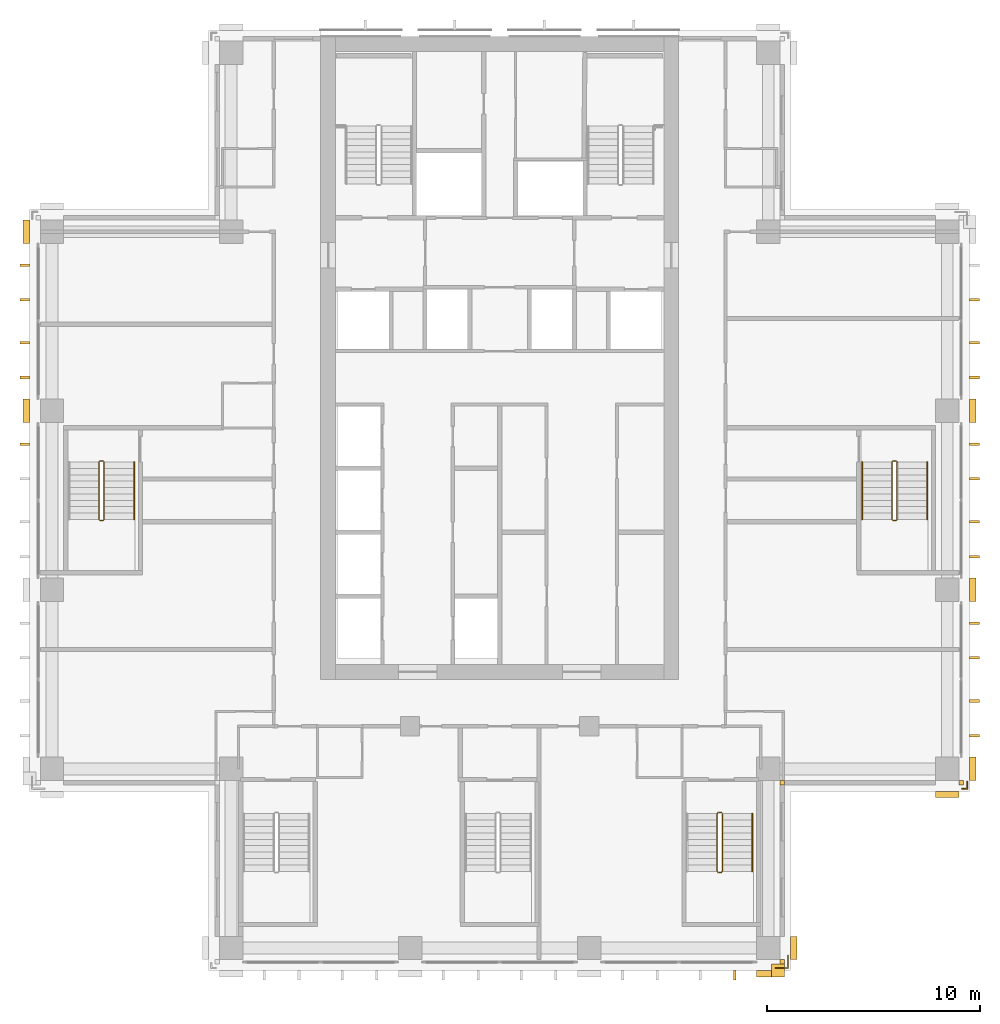
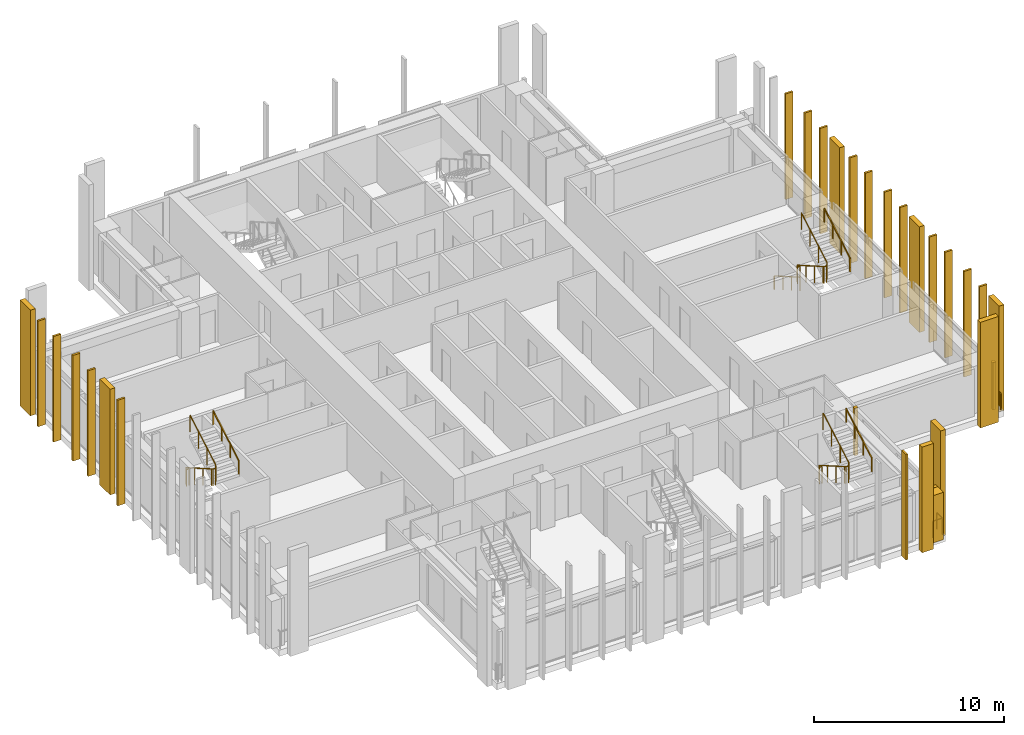
# One storey, part 15 of 16: 29 coverings, 9 railings.
"""IFC4 building model written with IfcOpenShell, lengths in metres."""

from ifc_helpers import new_model, si_unit, direction, frame, origin, origin_2d, place, context, subcontext, project, spatial, polyline, rectangle, outline, extrude, material, layer, layer_set, type_object, element, save


model = new_model("IFC4")

# Units and contexts
model_context = context("Model", 3, precision=1e-05, world=origin(), true_north=direction((0.0, 1.0)))
body_context = subcontext(model_context, "Body", "Model", "MODEL_VIEW")
ifc_project = project(units=[si_unit("LENGTHUNIT", "METRE"), si_unit("AREAUNIT", "SQUARE_METRE"), si_unit("VOLUMEUNIT", "CUBIC_METRE"), si_unit("PLANEANGLEUNIT", "RADIAN"), si_unit("MASSUNIT", "GRAM", prefix="KILO")], contexts=[model_context])

# Site, building, storey
site_placement = place(None, origin())
site = spatial("IfcSite", under=ifc_project, at=site_placement, CompositionType="ELEMENT")
building_placement = place(site_placement, origin())
building = spatial("IfcBuilding", under=site, at=building_placement, Name="Vermilion Ogive Tower", CompositionType="ELEMENT")
storey_placement = place(building_placement, frame((0.0, 0.0, 164.14990234375)))
storey = spatial("IfcBuildingStorey", under=building, at=storey_placement, Name="L42", CompositionType="ELEMENT", Elevation=164.14990234375)

# Coverings
ifc_material_1 = material(Name="Glazed ceramic screen")
ifc_layer = layer(ifc_material_1, 0.14990234375)
ifc_layer_set = layer_set([ifc_layer], Name="Ceramic solar screen fin")
covering_type_1 = type_object("IfcCoveringType", Name="Ceramic solar screen fin", PredefinedType="CLADDING", material=ifc_layer_set)
covering_1_placement = place(storey_placement, frame((0.0, 0.0, -0.39990234375)))
element("IfcCovering", 1, at=covering_1_placement, inside=storey, type_object=covering_type_1, Name="Solar screen blade S022", PredefinedType="CLADDING", context=body_context, shape_type="SweptSolid", body=[
    extrude(outline(polyline([(10.9775390625, -22.5), (11.097412109375, -22.5), (11.097412109375, -22.050048828125), (10.9775390625, -22.050048828125), (10.9775390625, -22.5)])), origin(), (0.0, 0.0, 1.0), 6.800048828125),
])
covering_2_placement = place(storey_placement, frame((0.0, 0.0, -0.39990234375)))
element("IfcCovering", 2, at=covering_2_placement, inside=storey, type_object=covering_type_1, Name="Solar screen blade E971", PredefinedType="CLADDING", context=body_context, shape_type="SweptSolid", body=[
    extrude(outline(polyline([(22.5, -11.097412109375), (22.5, -10.9775390625), (22.050048828125, -10.9775390625), (22.050048828125, -11.097412109375), (22.5, -11.097412109375)])), origin(), (0.0, 0.0, 1.0), 6.800048828125),
])
covering_3_placement = place(storey_placement, frame((0.0, 0.0, -0.39990234375)))
element("IfcCovering", 3, at=covering_3_placement, inside=storey, type_object=covering_type_1, Name="Solar screen blade E972", PredefinedType="CLADDING", context=body_context, shape_type="SweptSolid", body=[
    extrude(outline(polyline([(22.5, -9.472412109375), (22.5, -9.3525390625), (22.050048828125, -9.3525390625), (22.050048828125, -9.472412109375), (22.5, -9.472412109375)])), origin(), (0.0, 0.0, 1.0), 6.800048828125),
])
covering_4_placement = place(storey_placement, frame((0.0, 0.0, -0.39990234375)))
element("IfcCovering", 4, at=covering_4_placement, inside=storey, type_object=covering_type_1, Name="Solar screen blade E981", PredefinedType="CLADDING", context=body_context, shape_type="SweptSolid", body=[
    extrude(outline(polyline([(22.5, -7.447509765625), (22.5, -7.327392578125), (22.050048828125, -7.327392578125), (22.050048828125, -7.447509765625), (22.5, -7.447509765625)])), origin(), (0.0, 0.0, 1.0), 6.800048828125),
])
covering_5_placement = place(storey_placement, frame((0.0, 0.0, -0.39990234375)))
element("IfcCovering", 5, at=covering_5_placement, inside=storey, type_object=covering_type_1, Name="Solar screen blade E982", PredefinedType="CLADDING", context=body_context, shape_type="SweptSolid", body=[
    extrude(outline(polyline([(22.5, -5.822509765625), (22.5, -5.702392578125), (22.050048828125, -5.702392578125), (22.050048828125, -5.822509765625), (22.5, -5.822509765625)])), origin(), (0.0, 0.0, 1.0), 6.800048828125),
])
covering_6_placement = place(storey_placement, frame((0.0, 0.0, -0.39990234375)))
element("IfcCovering", 6, at=covering_6_placement, inside=storey, type_object=covering_type_1, Name="Solar screen blade E991", PredefinedType="CLADDING", context=body_context, shape_type="SweptSolid", body=[
    extrude(outline(polyline([(22.5, -2.697509765625), (22.5, -2.577392578125), (22.050048828125, -2.577392578125), (22.050048828125, -2.697509765625), (22.5, -2.697509765625)])), origin(), (0.0, 0.0, 1.0), 6.800048828125),
])
covering_7_placement = place(storey_placement, frame((0.0, 0.0, -0.39990234375)))
element("IfcCovering", 7, at=covering_7_placement, inside=storey, type_object=covering_type_1, Name="Solar screen blade E992", PredefinedType="CLADDING", context=body_context, shape_type="SweptSolid", body=[
    extrude(outline(polyline([(22.5, -1.072509765625), (22.5, -0.952392578125), (22.050048828125, -0.952392578125), (22.050048828125, -1.072509765625), (22.5, -1.072509765625)])), origin(), (0.0, 0.0, 1.0), 6.800048828125),
])
covering_8_placement = place(storey_placement, frame((0.0, 0.0, -0.39990234375)))
element("IfcCovering", 8, at=covering_8_placement, inside=storey, type_object=covering_type_1, Name="Solar screen blade E001", PredefinedType="CLADDING", context=body_context, shape_type="SweptSolid", body=[
    extrude(outline(polyline([(22.5, 0.952392578125), (22.5, 1.072509765625), (22.050048828125, 1.072509765625), (22.050048828125, 0.952392578125), (22.5, 0.952392578125)])), origin(), (0.0, 0.0, 1.0), 6.800048828125),
])
covering_9_placement = place(storey_placement, frame((0.0, 0.0, -0.39990234375)))
element("IfcCovering", 9, at=covering_9_placement, inside=storey, type_object=covering_type_1, Name="Solar screen blade E002", PredefinedType="CLADDING", context=body_context, shape_type="SweptSolid", body=[
    extrude(outline(polyline([(22.5, 2.577392578125), (22.5, 2.697509765625), (22.050048828125, 2.697509765625), (22.050048828125, 2.577392578125), (22.5, 2.577392578125)])), origin(), (0.0, 0.0, 1.0), 6.800048828125),
])
covering_10_placement = place(storey_placement, frame((0.0, 0.0, -0.39990234375)))
element("IfcCovering", 10, at=covering_10_placement, inside=storey, type_object=covering_type_1, Name="Solar screen blade E011", PredefinedType="CLADDING", context=body_context, shape_type="SweptSolid", body=[
    extrude(outline(polyline([(22.5, 5.702392578125), (22.5, 5.822509765625), (22.050048828125, 5.822509765625), (22.050048828125, 5.702392578125), (22.5, 5.702392578125)])), origin(), (0.0, 0.0, 1.0), 6.800048828125),
])
covering_11_placement = place(storey_placement, frame((0.0, 0.0, -0.39990234375)))
element("IfcCovering", 11, at=covering_11_placement, inside=storey, type_object=covering_type_1, Name="Solar screen blade E012", PredefinedType="CLADDING", context=body_context, shape_type="SweptSolid", body=[
    extrude(outline(polyline([(22.5, 7.327392578125), (22.5, 7.447509765625), (22.050048828125, 7.447509765625), (22.050048828125, 7.327392578125), (22.5, 7.327392578125)])), origin(), (0.0, 0.0, 1.0), 6.800048828125),
])
covering_12_placement = place(storey_placement, frame((0.0, 0.0, -0.39990234375)))
element("IfcCovering", 12, at=covering_12_placement, inside=storey, type_object=covering_type_1, Name="Solar screen blade E021", PredefinedType="CLADDING", context=body_context, shape_type="SweptSolid", body=[
    extrude(outline(polyline([(22.5, 9.3525390625), (22.5, 9.472412109375), (22.050048828125, 9.472412109375), (22.050048828125, 9.3525390625), (22.5, 9.3525390625)])), origin(), (0.0, 0.0, 1.0), 6.800048828125),
])
covering_13_placement = place(storey_placement, frame((0.0, 0.0, -0.39990234375)))
element("IfcCovering", 13, at=covering_13_placement, inside=storey, type_object=covering_type_1, Name="Solar screen blade W011", PredefinedType="CLADDING", context=body_context, shape_type="SweptSolid", body=[
    extrude(outline(polyline([(-22.5, 7.447509765625), (-22.5, 7.327392578125), (-22.050048828125, 7.327392578125), (-22.050048828125, 7.447509765625), (-22.5, 7.447509765625)])), origin(), (0.0, 0.0, 1.0), 6.800048828125),
])
covering_14_placement = place(storey_placement, frame((0.0, 0.0, -0.39990234375)))
element("IfcCovering", 14, at=covering_14_placement, inside=storey, type_object=covering_type_1, Name="Solar screen blade W012", PredefinedType="CLADDING", context=body_context, shape_type="SweptSolid", body=[
    extrude(outline(polyline([(-22.5, 5.822509765625), (-22.5, 5.702392578125), (-22.050048828125, 5.702392578125), (-22.050048828125, 5.822509765625), (-22.5, 5.822509765625)])), origin(), (0.0, 0.0, 1.0), 6.800048828125),
])
covering_15_placement = place(storey_placement, frame((0.0, 0.0, -0.39990234375)))
element("IfcCovering", 15, at=covering_15_placement, inside=storey, type_object=covering_type_1, Name="Solar screen blade W021", PredefinedType="CLADDING", context=body_context, shape_type="SweptSolid", body=[
    extrude(outline(polyline([(-22.5, 11.097412109375), (-22.5, 10.9775390625), (-22.050048828125, 10.9775390625), (-22.050048828125, 11.097412109375), (-22.5, 11.097412109375)])), origin(), (0.0, 0.0, 1.0), 6.800048828125),
])
covering_16_placement = place(storey_placement, frame((0.0, 0.0, -0.39990234375)))
element("IfcCovering", 16, at=covering_16_placement, inside=storey, type_object=covering_type_1, Name="Solar screen blade W022", PredefinedType="CLADDING", context=body_context, shape_type="SweptSolid", body=[
    extrude(outline(polyline([(-22.5, 9.472412109375), (-22.5, 9.3525390625), (-22.050048828125, 9.3525390625), (-22.050048828125, 9.472412109375), (-22.5, 9.472412109375)])), origin(), (0.0, 0.0, 1.0), 6.800048828125),
])
covering_17_placement = place(storey_placement, frame((0.0, 0.0, -0.39990234375)))
element("IfcCovering", 17, at=covering_17_placement, inside=storey, type_object=covering_type_1, Name="Solar screen blade W001", PredefinedType="CLADDING", context=body_context, shape_type="SweptSolid", body=[
    extrude(outline(polyline([(-22.5, 2.697509765625), (-22.5, 2.577392578125), (-22.050048828125, 2.577392578125), (-22.050048828125, 2.697509765625), (-22.5, 2.697509765625)])), origin(), (0.0, 0.0, 1.0), 6.800048828125),
])

# Railings
ifc_material_2 = material(Name="Stainless steel", Category="steel")
railing_type_1 = type_object("IfcRailingType", Name="Slab edge guard SG1", PredefinedType="GUARDRAIL", material=ifc_material_2)
railing_1_placement = place(storey_placement, frame((21.929931640625, -13.199951171875, 0.0)))
element("IfcRailing", 18, at=railing_1_placement, inside=storey, type_object=railing_type_1, Name="L42 slab corner guard", PredefinedType="GUARDRAIL", context=body_context, shape_type="SweptSolid", body=[
    extrude(rectangle(XDim=0.050048828125, YDim=0.050048828125, at=origin_2d()), frame((0.0, 0.0, 1.0751953125), z_axis=(0.0, -1.0, 0.0), x_axis=(1.0, 0.0, 0.0)), (0.0, 0.0, 1.0), 0.330078125),
    extrude(rectangle(XDim=0.050048828125, YDim=0.050048828125, at=origin_2d()), frame((0.0, -0.330078125, 1.0751953125), z_axis=(-1.0, 0.0, 0.0), x_axis=(0.0, -1.0, 0.0)), (0.0, 0.0, 1.0), 0.22998046875),
    extrude(rectangle(XDim=0.050048828125, YDim=0.050048828125, at=origin_2d()), origin(), (0.0, 0.0, 1.0), 1.050048828125),
    extrude(rectangle(XDim=0.050048828125, YDim=0.050048828125, at=origin_2d()), frame((0.0, -0.330078125, 0.0)), (0.0, 0.0, 1.0), 1.050048828125),
    extrude(rectangle(XDim=0.050048828125, YDim=0.050048828125, at=origin_2d()), frame((-0.22998046875, -0.330078125, 0.0)), (0.0, 0.0, 1.0), 1.050048828125),
])
railing_2_placement = place(storey_placement, frame((12.949951171875, -21.929931640625, 0.0)))
element("IfcRailing", 19, at=railing_2_placement, inside=storey, type_object=railing_type_1, Name="L42 slab corner guard", PredefinedType="GUARDRAIL", context=body_context, shape_type="SweptSolid", body=[
    extrude(rectangle(XDim=0.050048828125, YDim=0.050048828125, at=origin_2d()), frame((0.0, 0.0, 1.0751953125), z_axis=(1.0, 0.0, 0.0), x_axis=(0.0, 1.0, 0.0)), (0.0, 0.0, 1.0), 0.580078125),
    extrude(rectangle(XDim=0.050048828125, YDim=0.050048828125, at=origin_2d()), frame((0.580078125, 0.0, 1.0751953125), z_axis=(0.0, 1.0, 0.0), x_axis=(-1.0, 0.0, 0.0)), (0.0, 0.0, 1.0), 0.579833984375),
    extrude(rectangle(XDim=0.050048828125, YDim=0.050048828125, at=origin_2d()), origin(), (0.0, 0.0, 1.0), 1.050048828125),
    extrude(rectangle(XDim=0.050048828125, YDim=0.050048828125, at=origin_2d()), frame((0.580078125, 0.0, 0.0)), (0.0, 0.0, 1.0), 1.050048828125),
    extrude(rectangle(XDim=0.050048828125, YDim=0.050048828125, at=origin_2d()), frame((0.580078125, 0.579833984375, 0.0)), (0.0, 0.0, 1.0), 1.050048828125),
])
ifc_material_3 = material(Name="Steel S355 painted", Category="steel")
railing_type_2 = type_object("IfcRailingType", Name="Stair guard 1100", PredefinedType="GUARDRAIL", material=ifc_material_3)
railing_3_placement = place(storey_placement, frame((10.39990234375, -14.64990234375, 0.0)))
element("IfcRailing", 20, at=railing_3_placement, inside=storey, type_object=railing_type_2, Name="L42 ST5 stair guard 4", PredefinedType="GUARDRAIL", context=body_context, shape_type="SweptSolid", body=[
    extrude(rectangle(XDim=0.048095703125, YDim=0.048095703125, at=origin_2d()), frame((0.0, 0.0, 1.076171875), z_axis=(-1.0, 0.0, 0.0), x_axis=(0.0, -1.0, 0.0)), (0.0, 0.0, 1.0), 0.14990234375),
    extrude(rectangle(XDim=0.048095703125, YDim=0.048095703125, at=origin_2d()), frame((-0.14990234375, 0.0, 1.076171875), z_axis=(-0.268277960024, -0.268277960024, 0.925231793839), x_axis=(0.707106781187, -0.707106781187, 0.0)), (0.0, 0.0, 1.0), 0.1865234375),
    extrude(rectangle(XDim=0.048095703125, YDim=0.048095703125, at=origin_2d()), frame((-0.199951171875, -0.050048828125, 1.24853515625), z_axis=(0.0, -0.866903762492, 0.498475542607), x_axis=(1.0, 0.0, 0.0)), (0.0, 0.0, 1.0), 3.114501953125),
    extrude(rectangle(XDim=0.048095703125, YDim=0.048095703125, at=origin_2d()), frame((-0.199951171875, -2.75, 2.80126953125), z_axis=(0.707106781187, -0.707106781187, 0.0), x_axis=(0.707106781187, 0.707106781187, 0.0)), (0.0, 0.0, 1.0), 0.07080078125),
    extrude(rectangle(XDim=0.048095703125, YDim=0.048095703125, at=origin_2d()), frame((-0.14990234375, -2.800048828125, 2.80126953125), z_axis=(1.0, 0.0, 0.0), x_axis=(0.0, 1.0, 0.0)), (0.0, 0.0, 1.0), 0.14990234375),
    extrude(rectangle(XDim=0.048095703125, YDim=0.048095703125, at=origin_2d()), frame((0.0, -2.800048828125, 2.80126953125), z_axis=(0.268277960024, 0.268277960024, 0.925231793839), x_axis=(-0.707106781187, 0.707106781187, 0.0)), (0.0, 0.0, 1.0), 0.1865234375),
    extrude(rectangle(XDim=0.048095703125, YDim=0.048095703125, at=origin_2d()), frame((0.050048828125, -2.75, 2.9736328125), z_axis=(0.0, 0.866903762492, 0.498475542607), x_axis=(-1.0, 0.0, 0.0)), (0.0, 0.0, 1.0), 3.114501953125),
    extrude(rectangle(XDim=0.0419921875, YDim=0.0419921875, at=origin_2d()), origin(), (0.0, 0.0, 1.0), 1.052001953125),
    extrude(rectangle(XDim=0.0419921875, YDim=0.0419921875, at=origin_2d()), frame((-0.14990234375, 0.0, 0.0)), (0.0, 0.0, 1.0), 1.052001953125),
    extrude(rectangle(XDim=0.0419921875, YDim=0.0419921875, at=origin_2d()), frame((-0.199951171875, -0.050048828125, 0.172607421875)), (0.0, 0.0, 1.0), 1.052001953125),
    extrude(rectangle(XDim=0.0419921875, YDim=0.0419921875, at=origin_2d()), frame((-0.199951171875, -0.949951171875, 0.690185546875)), (0.0, 0.0, 1.0), 1.052001953125),
    extrude(rectangle(XDim=0.0419921875, YDim=0.0419921875, at=origin_2d()), frame((-0.199951171875, -1.85009765625, 1.20751953125)), (0.0, 0.0, 1.0), 1.052001953125),
    extrude(rectangle(XDim=0.0419921875, YDim=0.0419921875, at=origin_2d()), frame((-0.199951171875, -2.75, 1.72509765625)), (0.0, 0.0, 1.0), 1.052001953125),
    extrude(rectangle(XDim=0.0419921875, YDim=0.0419921875, at=origin_2d()), frame((-0.14990234375, -2.800048828125, 1.72509765625)), (0.0, 0.0, 1.0), 1.052001953125),
    extrude(rectangle(XDim=0.0419921875, YDim=0.0419921875, at=origin_2d()), frame((0.0, -2.800048828125, 1.72509765625)), (0.0, 0.0, 1.0), 1.052001953125),
    extrude(rectangle(XDim=0.0419921875, YDim=0.0419921875, at=origin_2d()), frame((0.050048828125, -2.75, 1.897705078125)), (0.0, 0.0, 1.0), 1.052001953125),
    extrude(rectangle(XDim=0.0419921875, YDim=0.0419921875, at=origin_2d()), frame((0.050048828125, -1.85009765625, 2.415283203125)), (0.0, 0.0, 1.0), 1.052001953125),
    extrude(rectangle(XDim=0.0419921875, YDim=0.0419921875, at=origin_2d()), frame((0.050048828125, -0.949951171875, 2.9326171875)), (0.0, 0.0, 1.0), 1.052001953125),
    extrude(rectangle(XDim=0.0419921875, YDim=0.0419921875, at=origin_2d()), frame((0.050048828125, -0.050048828125, 3.4501953125)), (0.0, 0.0, 1.0), 1.052001953125),
])
railing_4_placement = place(storey_placement, frame((18.60009765625, 1.85009765625, 0.0)))
element("IfcRailing", 21, at=railing_4_placement, inside=storey, type_object=railing_type_2, Name="L42 ST8 stair guard 4", PredefinedType="GUARDRAIL", context=body_context, shape_type="SweptSolid", body=[
    extrude(rectangle(XDim=0.048095703125, YDim=0.048095703125, at=origin_2d()), frame((0.0, 0.0, 1.076171875), z_axis=(-1.0, 0.0, 0.0), x_axis=(0.0, -1.0, 0.0)), (0.0, 0.0, 1.0), 0.150146484375),
    extrude(rectangle(XDim=0.048095703125, YDim=0.048095703125, at=origin_2d()), frame((-0.150146484375, 0.0, 1.076171875), z_axis=(-0.268277960024, -0.268277960024, 0.925231793839), x_axis=(0.707106781187, -0.707106781187, 0.0)), (0.0, 0.0, 1.0), 0.1865234375),
    extrude(rectangle(XDim=0.048095703125, YDim=0.048095703125, at=origin_2d()), frame((-0.2001953125, -0.050048828125, 1.24853515625), z_axis=(0.0, -0.866903762492, 0.498475542607), x_axis=(1.0, 0.0, 0.0)), (0.0, 0.0, 1.0), 3.114501953125),
    extrude(rectangle(XDim=0.048095703125, YDim=0.048095703125, at=origin_2d()), frame((-0.2001953125, -2.75, 2.80126953125), z_axis=(0.707106781187, -0.707106781187, 0.0), x_axis=(0.707106781187, 0.707106781187, 0.0)), (0.0, 0.0, 1.0), 0.07080078125),
    extrude(rectangle(XDim=0.048095703125, YDim=0.048095703125, at=origin_2d()), frame((-0.150146484375, -2.800048828125, 2.80126953125), z_axis=(1.0, 0.0, 0.0), x_axis=(0.0, 1.0, 0.0)), (0.0, 0.0, 1.0), 0.150146484375),
    extrude(rectangle(XDim=0.048095703125, YDim=0.048095703125, at=origin_2d()), frame((0.0, -2.800048828125, 2.80126953125), z_axis=(0.267062837333, 0.268371968888, 0.925556009775), x_axis=(-0.708833529934, 0.705375805398, 0.0)), (0.0, 0.0, 1.0), 0.1865234375),
    extrude(rectangle(XDim=0.048095703125, YDim=0.048095703125, at=origin_2d()), frame((0.0498046875, -2.75, 2.9736328125), z_axis=(0.0, 0.866903762492, 0.498475542607), x_axis=(-1.0, 0.0, 0.0)), (0.0, 0.0, 1.0), 3.114501953125),
    extrude(rectangle(XDim=0.0419921875, YDim=0.0419921875, at=origin_2d()), origin(), (0.0, 0.0, 1.0), 1.052001953125),
    extrude(rectangle(XDim=0.0419921875, YDim=0.0419921875, at=origin_2d()), frame((-0.150146484375, 0.0, 0.0)), (0.0, 0.0, 1.0), 1.052001953125),
    extrude(rectangle(XDim=0.0419921875, YDim=0.0419921875, at=origin_2d()), frame((-0.2001953125, -0.050048828125, 0.172607421875)), (0.0, 0.0, 1.0), 1.052001953125),
    extrude(rectangle(XDim=0.0419921875, YDim=0.0419921875, at=origin_2d()), frame((-0.2001953125, -0.949951171875, 0.690185546875)), (0.0, 0.0, 1.0), 1.052001953125),
    extrude(rectangle(XDim=0.0419921875, YDim=0.0419921875, at=origin_2d()), frame((-0.2001953125, -1.85009765625, 1.20751953125)), (0.0, 0.0, 1.0), 1.052001953125),
    extrude(rectangle(XDim=0.0419921875, YDim=0.0419921875, at=origin_2d()), frame((-0.2001953125, -2.75, 1.72509765625)), (0.0, 0.0, 1.0), 1.052001953125),
    extrude(rectangle(XDim=0.0419921875, YDim=0.0419921875, at=origin_2d()), frame((-0.150146484375, -2.800048828125, 1.72509765625)), (0.0, 0.0, 1.0), 1.052001953125),
    extrude(rectangle(XDim=0.0419921875, YDim=0.0419921875, at=origin_2d()), frame((0.0, -2.800048828125, 1.72509765625)), (0.0, 0.0, 1.0), 1.052001953125),
    extrude(rectangle(XDim=0.0419921875, YDim=0.0419921875, at=origin_2d()), frame((0.0498046875, -2.75, 1.897705078125)), (0.0, 0.0, 1.0), 1.052001953125),
    extrude(rectangle(XDim=0.0419921875, YDim=0.0419921875, at=origin_2d()), frame((0.0498046875, -1.85009765625, 2.415283203125)), (0.0, 0.0, 1.0), 1.052001953125),
    extrude(rectangle(XDim=0.0419921875, YDim=0.0419921875, at=origin_2d()), frame((0.0498046875, -0.949951171875, 2.9326171875)), (0.0, 0.0, 1.0), 1.052001953125),
    extrude(rectangle(XDim=0.0419921875, YDim=0.0419921875, at=origin_2d()), frame((0.0498046875, -0.050048828125, 3.4501953125)), (0.0, 0.0, 1.0), 1.052001953125),
])
railing_5_placement = place(storey_placement, frame((-18.60009765625, 1.85009765625, 0.0)))
element("IfcRailing", 22, at=railing_5_placement, inside=storey, type_object=railing_type_2, Name="L42 ST9 stair guard 4", PredefinedType="GUARDRAIL", context=body_context, shape_type="SweptSolid", body=[
    extrude(rectangle(XDim=0.048095703125, YDim=0.048095703125, at=origin_2d()), frame((0.0, 0.0, 1.076171875), z_axis=(-1.0, 0.0, 0.0), x_axis=(0.0, -1.0, 0.0)), (0.0, 0.0, 1.0), 0.14990234375),
    extrude(rectangle(XDim=0.048095703125, YDim=0.048095703125, at=origin_2d()), frame((-0.14990234375, 0.0, 1.076171875), z_axis=(-0.268277960024, -0.268277960024, 0.925231793839), x_axis=(0.707106781187, -0.707106781187, 0.0)), (0.0, 0.0, 1.0), 0.1865234375),
    extrude(rectangle(XDim=0.048095703125, YDim=0.048095703125, at=origin_2d()), frame((-0.199951171875, -0.050048828125, 1.24853515625), z_axis=(0.0, -0.866903762492, 0.498475542607), x_axis=(1.0, 0.0, 0.0)), (0.0, 0.0, 1.0), 3.114501953125),
    extrude(rectangle(XDim=0.048095703125, YDim=0.048095703125, at=origin_2d()), frame((-0.199951171875, -2.75, 2.80126953125), z_axis=(0.707106781187, -0.707106781187, 0.0), x_axis=(0.707106781187, 0.707106781187, 0.0)), (0.0, 0.0, 1.0), 0.07080078125),
    extrude(rectangle(XDim=0.048095703125, YDim=0.048095703125, at=origin_2d()), frame((-0.14990234375, -2.800048828125, 2.80126953125), z_axis=(1.0, 0.0, 0.0), x_axis=(0.0, 1.0, 0.0)), (0.0, 0.0, 1.0), 0.14990234375),
    extrude(rectangle(XDim=0.048095703125, YDim=0.048095703125, at=origin_2d()), frame((0.0, -2.800048828125, 2.80126953125), z_axis=(0.268277960024, 0.268277960024, 0.925231793839), x_axis=(-0.707106781187, 0.707106781187, 0.0)), (0.0, 0.0, 1.0), 0.1865234375),
    extrude(rectangle(XDim=0.048095703125, YDim=0.048095703125, at=origin_2d()), frame((0.050048828125, -2.75, 2.9736328125), z_axis=(0.0, 0.866903762492, 0.498475542607), x_axis=(-1.0, 0.0, 0.0)), (0.0, 0.0, 1.0), 3.114501953125),
    extrude(rectangle(XDim=0.0419921875, YDim=0.0419921875, at=origin_2d()), origin(), (0.0, 0.0, 1.0), 1.052001953125),
    extrude(rectangle(XDim=0.0419921875, YDim=0.0419921875, at=origin_2d()), frame((-0.14990234375, 0.0, 0.0)), (0.0, 0.0, 1.0), 1.052001953125),
    extrude(rectangle(XDim=0.0419921875, YDim=0.0419921875, at=origin_2d()), frame((-0.199951171875, -0.050048828125, 0.172607421875)), (0.0, 0.0, 1.0), 1.052001953125),
    extrude(rectangle(XDim=0.0419921875, YDim=0.0419921875, at=origin_2d()), frame((-0.199951171875, -0.949951171875, 0.690185546875)), (0.0, 0.0, 1.0), 1.052001953125),
    extrude(rectangle(XDim=0.0419921875, YDim=0.0419921875, at=origin_2d()), frame((-0.199951171875, -1.85009765625, 1.20751953125)), (0.0, 0.0, 1.0), 1.052001953125),
    extrude(rectangle(XDim=0.0419921875, YDim=0.0419921875, at=origin_2d()), frame((-0.199951171875, -2.75, 1.72509765625)), (0.0, 0.0, 1.0), 1.052001953125),
    extrude(rectangle(XDim=0.0419921875, YDim=0.0419921875, at=origin_2d()), frame((-0.14990234375, -2.800048828125, 1.72509765625)), (0.0, 0.0, 1.0), 1.052001953125),
    extrude(rectangle(XDim=0.0419921875, YDim=0.0419921875, at=origin_2d()), frame((0.0, -2.800048828125, 1.72509765625)), (0.0, 0.0, 1.0), 1.052001953125),
    extrude(rectangle(XDim=0.0419921875, YDim=0.0419921875, at=origin_2d()), frame((0.050048828125, -2.75, 1.897705078125)), (0.0, 0.0, 1.0), 1.052001953125),
    extrude(rectangle(XDim=0.0419921875, YDim=0.0419921875, at=origin_2d()), frame((0.050048828125, -1.85009765625, 2.415283203125)), (0.0, 0.0, 1.0), 1.052001953125),
    extrude(rectangle(XDim=0.0419921875, YDim=0.0419921875, at=origin_2d()), frame((0.050048828125, -0.949951171875, 2.9326171875)), (0.0, 0.0, 1.0), 1.052001953125),
    extrude(rectangle(XDim=0.0419921875, YDim=0.0419921875, at=origin_2d()), frame((0.050048828125, -0.050048828125, 3.4501953125)), (0.0, 0.0, 1.0), 1.052001953125),
])
ifc_material_4 = material(Name="Stainless steel", Category="steel")
railing_type_3 = type_object("IfcRailingType", Name="Stair handrail 900", PredefinedType="HANDRAIL", material=ifc_material_4)
railing_6_placement = place(storey_placement, frame((11.85009765625, -17.39990234375, 1.897705078125)))
element("IfcRailing", 23, at=railing_6_placement, inside=storey, type_object=railing_type_3, Name="L42 ST5 stair handrail 2", PredefinedType="HANDRAIL", context=body_context, shape_type="SweptSolid", body=[
    extrude(rectangle(XDim=0.048095703125, YDim=0.048095703125, at=origin_2d()), frame((0.0, 0.0, 0.8759765625), z_axis=(0.0, 0.866903762492, 0.498475542607), x_axis=(-1.0, 0.0, 0.0)), (0.0, 0.0, 1.0), 3.114501953125),
    extrude(rectangle(XDim=0.0419921875, YDim=0.0419921875, at=origin_2d()), origin(), (0.0, 0.0, 1.0), 0.851806640625),
    extrude(rectangle(XDim=0.0419921875, YDim=0.0419921875, at=origin_2d()), frame((0.0, 0.89990234375, 0.517578125)), (0.0, 0.0, 1.0), 0.851806640625),
    extrude(rectangle(XDim=0.0419921875, YDim=0.0419921875, at=origin_2d()), frame((0.0, 1.800048828125, 1.034912109375)), (0.0, 0.0, 1.0), 0.851806640625),
    extrude(rectangle(XDim=0.0419921875, YDim=0.0419921875, at=origin_2d()), frame((0.0, 2.699951171875, 1.552490234375)), (0.0, 0.0, 1.0), 0.851806640625),
])
railing_7_placement = place(storey_placement, frame((17.0, 1.800048828125, 0.172607421875)))
element("IfcRailing", 24, at=railing_7_placement, inside=storey, type_object=railing_type_3, Name="L42 ST8 stair handrail 1", PredefinedType="HANDRAIL", context=body_context, shape_type="SweptSolid", body=[
    extrude(rectangle(XDim=0.048095703125, YDim=0.048095703125, at=origin_2d()), frame((0.0, 0.0, 0.8759765625), z_axis=(0.0, -0.866903762492, 0.498475542607), x_axis=(1.0, 0.0, 0.0)), (0.0, 0.0, 1.0), 3.114501953125),
    extrude(rectangle(XDim=0.0419921875, YDim=0.0419921875, at=origin_2d()), origin(), (0.0, 0.0, 1.0), 0.851806640625),
    extrude(rectangle(XDim=0.0419921875, YDim=0.0419921875, at=origin_2d()), frame((0.0, -0.89990234375, 0.517578125)), (0.0, 0.0, 1.0), 0.851806640625),
    extrude(rectangle(XDim=0.0419921875, YDim=0.0419921875, at=origin_2d()), frame((0.0, -1.800048828125, 1.034912109375)), (0.0, 0.0, 1.0), 0.851806640625),
    extrude(rectangle(XDim=0.0419921875, YDim=0.0419921875, at=origin_2d()), frame((0.0, -2.699951171875, 1.552490234375)), (0.0, 0.0, 1.0), 0.851806640625),
])
for number, where, name in (
    (25, (20.050048828125, -0.89990234375, 1.897705078125), "L42 ST8 stair handrail 2"),
    (26, (-17.14990234375, -0.89990234375, 1.897705078125), "L42 ST9 stair handrail 2"),
):
    element("IfcRailing", number, at=place(storey_placement, frame(where)), inside=storey, type_object=railing_type_3, Name=name, PredefinedType="HANDRAIL", context=body_context, shape_type="SweptSolid", body=[
        extrude(rectangle(XDim=0.048095703125, YDim=0.048095703125, at=origin_2d()), frame((0.0, 0.0, 0.8759765625), z_axis=(0.0, 0.866903762492, 0.498475542607), x_axis=(-1.0, 0.0, 0.0)), (0.0, 0.0, 1.0), 3.114501953125),
        extrude(rectangle(XDim=0.0419921875, YDim=0.0419921875, at=origin_2d()), origin(), (0.0, 0.0, 1.0), 0.851806640625),
        extrude(rectangle(XDim=0.0419921875, YDim=0.0419921875, at=origin_2d()), frame((0.0, 0.89990234375, 0.517578125)), (0.0, 0.0, 1.0), 0.851806640625),
        extrude(rectangle(XDim=0.0419921875, YDim=0.0419921875, at=origin_2d()), frame((0.0, 1.800048828125, 1.034912109375)), (0.0, 0.0, 1.0), 0.851806640625),
        extrude(rectangle(XDim=0.0419921875, YDim=0.0419921875, at=origin_2d()), frame((0.0, 2.699951171875, 1.552490234375)), (0.0, 0.0, 1.0), 0.851806640625),
    ])

# Coverings
ifc_material_5 = material(Name="Stone cladding", Category="masonry")
covering_type_2 = type_object("IfcCoveringType", Name="Stone corner buttress", PredefinedType="CLADDING", material=ifc_material_5)
covering_18_placement = place(storey_placement, origin())
element("IfcCovering", 27, at=covering_18_placement, inside=storey, type_object=covering_type_2, Name="Stone crease pier SK", PredefinedType="CLADDING", context=body_context, shape_type="SweptSolid", body=[
    extrude(outline(polyline([(12.75, -22.35009765625), (13.35009765625, -22.35009765625), (13.35009765625, -21.75), (12.75, -21.75), (12.75, -22.35009765625)])), origin(), (0.0, 0.0, 1.0), 3.050048828125),
])
ifc_material_6 = material(Name="Stone cladding", Category="masonry")
covering_type_3 = type_object("IfcCoveringType", Name="Stone pier", PredefinedType="CLADDING", material=ifc_material_6)
covering_19_placement = place(storey_placement, origin())
element("IfcCovering", 28, at=covering_19_placement, inside=storey, type_object=covering_type_3, Name="Stone corner pier SE1", PredefinedType="CLADDING", context=body_context, shape_type="SweptSolid", body=[
    extrude(outline(polyline([(13.14990234375, -21.75), (13.14990234375, -21.550048828125), (13.35009765625, -21.550048828125), (13.35009765625, -21.75), (13.14990234375, -21.75)])), origin(), (0.0, 0.0, 1.0), 3.050048828125),
])
covering_20_placement = place(storey_placement, origin())
element("IfcCovering", 29, at=covering_20_placement, inside=storey, type_object=covering_type_3, Name="Stone corner pier X1E1", PredefinedType="CLADDING", context=body_context, shape_type="SweptSolid", body=[
    extrude(outline(polyline([(13.14990234375, -13.14990234375), (13.35009765625, -13.14990234375), (13.35009765625, -13.35009765625), (13.14990234375, -13.35009765625), (13.14990234375, -13.14990234375)])), origin(), (0.0, 0.0, 1.0), 3.050048828125),
])
covering_21_placement = place(storey_placement, origin())
element("IfcCovering", 30, at=covering_21_placement, inside=storey, type_object=covering_type_3, Name="Stone corner pier X2E1", PredefinedType="CLADDING", context=body_context, shape_type="SweptSolid", body=[
    extrude(outline(polyline([(21.550048828125, -13.35009765625), (21.550048828125, -13.14990234375), (21.75, -13.14990234375), (21.75, -13.35009765625), (21.550048828125, -13.35009765625)])), origin(), (0.0, 0.0, 1.0), 3.050048828125),
])
covering_22_placement = place(storey_placement, frame((0.0, 0.0, -0.39990234375)))
element("IfcCovering", 31, at=covering_22_placement, inside=storey, type_object=covering_type_3, Name="Stone pier P+0126-210S", PredefinedType="CLADDING", context=body_context, shape_type="SweptSolid", body=[
    extrude(outline(polyline([(12.050048828125, -22.35009765625), (12.050048828125, -22.050048828125), (12.75, -22.050048828125), (12.75, -22.35009765625), (12.050048828125, -22.35009765625)])), origin(), (0.0, 0.0, 1.0), 6.800048828125),
])
covering_23_placement = place(storey_placement, frame((0.0, 0.0, -0.39990234375)))
element("IfcCovering", 32, at=covering_23_placement, inside=storey, type_object=covering_type_3, Name="Stone pier P+0126-210X1", PredefinedType="CLADDING", context=body_context, shape_type="SweptSolid", body=[
    extrude(outline(polyline([(13.949951171875, -21.550048828125), (13.64990234375, -21.550048828125), (13.64990234375, -20.449951171875), (13.949951171875, -20.449951171875), (13.949951171875, -21.550048828125)])), origin(), (0.0, 0.0, 1.0), 6.800048828125),
])
covering_24_placement = place(storey_placement, frame((0.0, 0.0, -0.39990234375)))
element("IfcCovering", 33, at=covering_24_placement, inside=storey, type_object=covering_type_3, Name="Stone pier P+0210+042", PredefinedType="CLADDING", context=body_context, shape_type="SweptSolid", body=[
    extrude(outline(polyline([(22.35009765625, 4.75), (22.35009765625, 3.64990234375), (22.050048828125, 3.64990234375), (22.050048828125, 4.75), (22.35009765625, 4.75)])), origin(), (0.0, 0.0, 1.0), 6.800048828125),
])
covering_25_placement = place(storey_placement, frame((0.0, 0.0, -0.39990234375)))
element("IfcCovering", 34, at=covering_25_placement, inside=storey, type_object=covering_type_3, Name="Stone pier P+0210-042", PredefinedType="CLADDING", context=body_context, shape_type="SweptSolid", body=[
    extrude(outline(polyline([(22.35009765625, -3.64990234375), (22.35009765625, -4.75), (22.050048828125, -4.75), (22.050048828125, -3.64990234375), (22.35009765625, -3.64990234375)])), origin(), (0.0, 0.0, 1.0), 6.800048828125),
])
covering_26_placement = place(storey_placement, frame((0.0, 0.0, -0.39990234375)))
element("IfcCovering", 35, at=covering_26_placement, inside=storey, type_object=covering_type_3, Name="Stone pier P+0210-126X2", PredefinedType="CLADDING", context=body_context, shape_type="SweptSolid", body=[
    extrude(outline(polyline([(21.550048828125, -13.949951171875), (20.449951171875, -13.949951171875), (20.449951171875, -13.64990234375), (21.550048828125, -13.64990234375), (21.550048828125, -13.949951171875)])), origin(), (0.0, 0.0, 1.0), 6.800048828125),
])
covering_27_placement = place(storey_placement, frame((0.0, 0.0, -0.39990234375)))
element("IfcCovering", 36, at=covering_27_placement, inside=storey, type_object=covering_type_3, Name="Stone pier P+0210-126E", PredefinedType="CLADDING", context=body_context, shape_type="SweptSolid", body=[
    extrude(outline(polyline([(22.35009765625, -13.14990234375), (22.050048828125, -13.14990234375), (22.050048828125, -12.050048828125), (22.35009765625, -12.050048828125), (22.35009765625, -13.14990234375)])), origin(), (0.0, 0.0, 1.0), 6.800048828125),
])
covering_28_placement = place(storey_placement, frame((0.0, 0.0, -0.39990234375)))
element("IfcCovering", 37, at=covering_28_placement, inside=storey, type_object=covering_type_3, Name="Stone pier P-0210+042", PredefinedType="CLADDING", context=body_context, shape_type="SweptSolid", body=[
    extrude(outline(polyline([(-22.35009765625, 3.64990234375), (-22.35009765625, 4.75), (-22.050048828125, 4.75), (-22.050048828125, 3.64990234375), (-22.35009765625, 3.64990234375)])), origin(), (0.0, 0.0, 1.0), 6.800048828125),
])
covering_29_placement = place(storey_placement, frame((0.0, 0.0, -0.39990234375)))
element("IfcCovering", 38, at=covering_29_placement, inside=storey, type_object=covering_type_3, Name="Stone pier P-0210+126W", PredefinedType="CLADDING", context=body_context, shape_type="SweptSolid", body=[
    extrude(outline(polyline([(-22.35009765625, 13.14990234375), (-22.050048828125, 13.14990234375), (-22.050048828125, 12.050048828125), (-22.35009765625, 12.050048828125), (-22.35009765625, 13.14990234375)])), origin(), (0.0, 0.0, 1.0), 6.800048828125),
])

save(model, "model.ifc")
